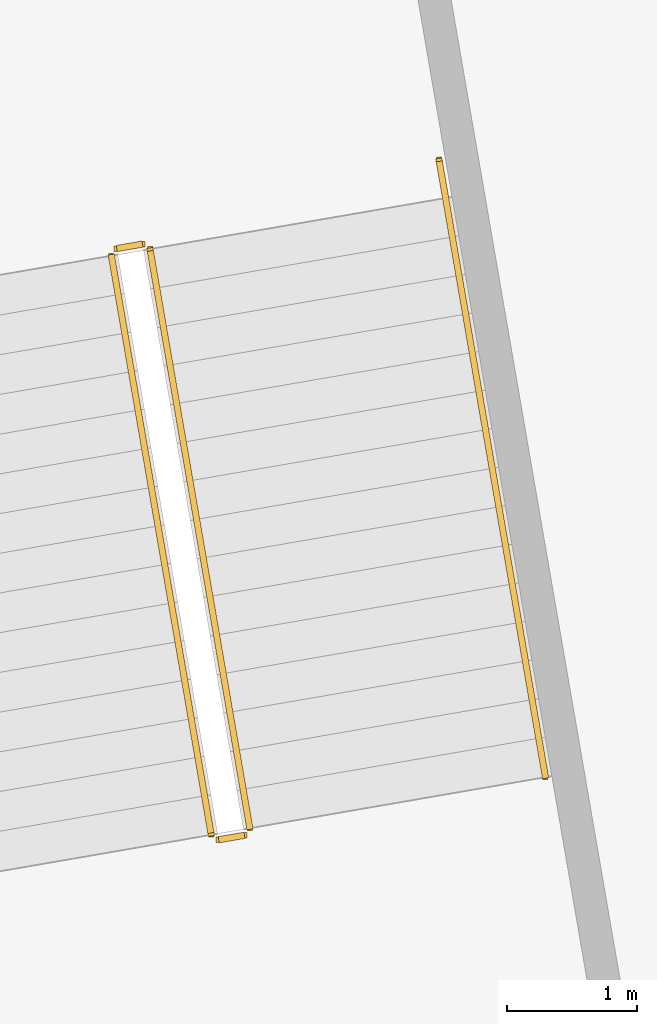
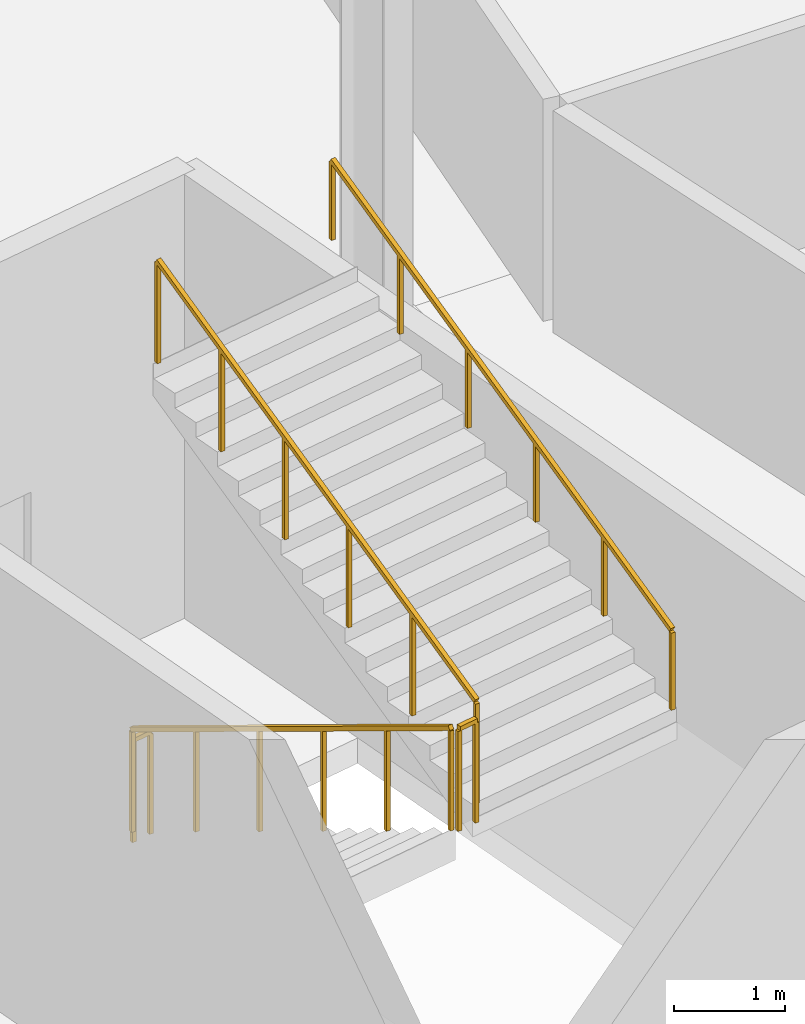
# One storey, part 146 of 168: 5 railings.
"""IFC4 building model written with IfcOpenShell, lengths in metres."""

import ifcopenshell
import ifcopenshell.guid

model = None  # the IFC model being written
_history = None  # IfcOwnerHistory: only IFC2X3 demands one
_inside = {}  # id of a spatial element -> (the spatial element, [elements in it])
_under = {}  # id of a project, library or spatial element -> (it, [spatial elements below it])
_declared = {}  # id of a project -> (the project, [libraries it declares])
_typed = {}  # id of a type object -> (the type object, [elements of that type])
_made_of = {}  # id of a material, layer set ... -> (it, [elements and type objects made of it])


def new_model(schema):
    """Start an empty IFC model of exactly this schema.

    Asked for "IFC4X3", IfcOpenShell would pick the latest addendum, in which some entities
    have other attributes; the version numbers below select the first issue.
    IFC2X3 requires an IfcOwnerHistory on every rooted entity: one is made here for all.
    """
    global model, _history
    if schema == "IFC4X3":
        model = ifcopenshell.file(schema_version=(4, 3, 0, 0))
    else:
        model = ifcopenshell.file(schema=schema)
    _inside.clear()
    _under.clear()
    _declared.clear()
    _typed.clear()
    _made_of.clear()
    _history = None
    if model.schema == "IFC2X3":
        org = make("IfcOrganization", Name="unknown")
        user = make(
            "IfcPersonAndOrganization",
            ThePerson=make("IfcPerson", FamilyName="unknown"),
            TheOrganization=org,
        )
        app = make(
            "IfcApplication",
            ApplicationDeveloper=org,
            Version="unknown",
            ApplicationFullName="unknown",
            ApplicationIdentifier="unknown",
        )
        _history = make(
            "IfcOwnerHistory",
            OwningUser=user,
            OwningApplication=app,
            ChangeAction="ADDED",
            CreationDate=0,
        )
    return model


def make(cls, **values):
    """One entity of the class cls with the attributes given. An attribute that is None is left unset."""
    return model.create_entity(
        cls, **{name: value for name, value in values.items() if value is not None}
    )


def rooted(cls, **values):
    """An entity with a GlobalId (a new one), such as an element, a storey or a relation."""
    return make(cls, GlobalId=ifcopenshell.guid.new(), OwnerHistory=_history, **values)


def si_unit(unit_type, name, prefix=None):
    """IfcSIUnit, for example si_unit("LENGTHUNIT", "METRE", prefix="MILLI")."""
    return make("IfcSIUnit", UnitType=unit_type, Prefix=prefix, Name=name)


def assignment(units):
    """IfcUnitAssignment: the units of a project."""
    return None if units is None else make("IfcUnitAssignment", Units=units)


def point(xyz):
    """IfcCartesianPoint."""
    return None if xyz is None else make("IfcCartesianPoint", Coordinates=xyz)


def direction(xyz):
    """IfcDirection."""
    return None if xyz is None else make("IfcDirection", DirectionRatios=xyz)


def frame(location, z_axis=None, x_axis=None):
    """IfcAxis2Placement3D, a coordinate frame: its origin and axes. An axis left out is left unset."""
    return make(
        "IfcAxis2Placement3D",
        Location=point(location),
        Axis=direction(z_axis),
        RefDirection=direction(x_axis),
    )


def frame_2d(location, x_axis=None):
    """IfcAxis2Placement2D, a coordinate frame in the plane: its origin and x axis."""
    return make(
        "IfcAxis2Placement2D", Location=point(location), RefDirection=direction(x_axis)
    )


def origin():
    """The frame at (0, 0, 0) with its axes left unset."""
    return frame((0.0, 0.0, 0.0))


def origin_2d():
    """The frame at (0, 0) in the plane with its x axis left unset."""
    return frame_2d((0.0, 0.0))


def place(relative_to, where):
    """IfcLocalPlacement: puts the frame where relative to a parent placement (None: the world)."""
    return make(
        "IfcLocalPlacement", PlacementRelTo=relative_to, RelativePlacement=where
    )


def context(
    kind, dimensions, precision=None, world=None, true_north=None, identifier=None
):
    """IfcGeometricRepresentationContext, for example the 3D "Model" context."""
    return make(
        "IfcGeometricRepresentationContext",
        ContextIdentifier=identifier,
        ContextType=kind,
        CoordinateSpaceDimension=dimensions,
        Precision=precision,
        WorldCoordinateSystem=world,
        TrueNorth=true_north,
    )


def subcontext(parent, identifier, kind, view, scale=None):
    """IfcGeometricRepresentationSubContext, for example "Body" below "Model"."""
    return make(
        "IfcGeometricRepresentationSubContext",
        ContextIdentifier=identifier,
        ContextType=kind,
        ParentContext=parent,
        TargetScale=scale,
        TargetView=view,
    )


def project(units=None, contexts=None):
    """IfcProject with its units and contexts."""
    return rooted(
        "IfcProject",
        Name="project",
        RepresentationContexts=contexts,
        UnitsInContext=assignment(units),
    )


def spatial(cls, under=None, at=None, **own):
    """A site, building, storey or space (cls), placed at a placement, below another one or the project."""
    s = rooted(cls, ObjectPlacement=at, **own)
    if under is not None:
        _under.setdefault(under.id(), (under, []))[1].append(s)
    return s


def profile(cls, at=None, kind="AREA", **sizes):
    """A parametric profile (cls). Its sizes go by their IFC names, for example OverallWidth=200.0."""
    return make(cls, ProfileType=kind, Position=at, **sizes)


def rectangle(**sizes):
    """IfcRectangleProfileDef."""
    return profile("IfcRectangleProfileDef", **sizes)


def extrude(swept, where, along, depth):
    """IfcExtrudedAreaSolid: the profile swept, set in the frame where, extruded along a direction by depth."""
    return make(
        "IfcExtrudedAreaSolid",
        SweptArea=swept,
        Position=where,
        ExtrudedDirection=direction(along),
        Depth=depth,
    )


def shape(context_of_items, identifier, shape_type, items):
    """IfcShapeRepresentation: the items that make up one representation, for example the "Body"."""
    return make(
        "IfcShapeRepresentation",
        ContextOfItems=context_of_items,
        RepresentationIdentifier=identifier,
        RepresentationType=shape_type,
        Items=items,
    )


def material(Name=None, Category=None):
    """IfcMaterial."""
    return make("IfcMaterial", Name=Name, Category=Category)


def made_of(thing, what):
    """Note that an element or type object is made of a material, layer set ...; save() writes the relation."""
    if what is not None:
        _made_of.setdefault(what.id(), (what, []))[1].append(thing)
    return thing


def type_object(cls, material=None, **own):
    """A type object (cls), such as IfcWallType, which elements share."""
    return made_of(rooted(cls, **own), material)


def element(
    cls,
    number,
    at=None,
    inside=None,
    cuts=None,
    type_object=None,
    material=None,
    context=None,
    identifier="Body",
    shape_type=None,
    held_by="IfcProductDefinitionShape",
    body=None,
    shapes=None,
    **own,
):
    """One element of the class cls, such as IfcWall. Its Tag is "e" and its number.

    at: its placement. inside: the storey or other place that contains it. cuts: it is an
    opening in that element (IfcRelVoidsElement). A single representation is given by context,
    identifier, shape_type and body (its items); several are given by shapes. held_by: the class
    of the entity that holds the representations. save() writes the other relations.
    """
    e = rooted(cls, Tag="e%d" % number, ObjectPlacement=at, **own)
    if body is not None:
        shapes = [shape(context, identifier, shape_type, body)]
    if shapes is not None:
        e.Representation = make(held_by, Representations=shapes)
    if inside is not None:
        _inside.setdefault(inside.id(), (inside, []))[1].append(e)
    if cuts is not None:
        rooted(
            "IfcRelVoidsElement", RelatingBuildingElement=cuts, RelatedOpeningElement=e
        )
    if type_object is not None:
        _typed.setdefault(type_object.id(), (type_object, []))[1].append(e)
    return made_of(e, material)


def aggregate(whole, parts):
    """IfcRelAggregates: a whole, such as a stair, and the parts it consists of."""
    return rooted("IfcRelAggregates", RelatingObject=whole, RelatedObjects=parts)


def save(model, path):
    """Write the relations noted so far, then the file.

    IfcRelAggregates (storeys below a building ...), IfcRelContainedInSpatialStructure (elements
    in a storey), IfcRelDefinesByType, IfcRelAssociatesMaterial and IfcRelDeclares: one each for
    every whole, place, type object, material and project.
    """
    for whole, parts in _under.values():
        aggregate(whole, parts)
    for where, things in _inside.values():
        rooted(
            "IfcRelContainedInSpatialStructure",
            RelatedElements=things,
            RelatingStructure=where,
        )
    for kind, things in _typed.values():
        rooted("IfcRelDefinesByType", RelatedObjects=things, RelatingType=kind)
    for what, things in _made_of.values():
        rooted("IfcRelAssociatesMaterial", RelatedObjects=things, RelatingMaterial=what)
    for by, libraries in _declared.values():
        rooted("IfcRelDeclares", RelatingContext=by, RelatedDefinitions=libraries)
    model.write(path)


model = new_model("IFC4")

# Units and contexts
model_context = context("Model", 3, precision=1e-05, world=origin(), true_north=direction((0.0, 1.0)))
body_context = subcontext(model_context, "Body", "Model", "MODEL_VIEW")
ifc_project = project(units=[si_unit("LENGTHUNIT", "METRE"), si_unit("AREAUNIT", "SQUARE_METRE"), si_unit("VOLUMEUNIT", "CUBIC_METRE"), si_unit("PLANEANGLEUNIT", "RADIAN"), si_unit("MASSUNIT", "GRAM", prefix="KILO")], contexts=[model_context])

# Site, building, storey
site_placement = place(None, origin())
site = spatial("IfcSite", under=ifc_project, at=site_placement, CompositionType="ELEMENT")
building_placement = place(site_placement, origin())
building = spatial("IfcBuilding", under=site, at=building_placement, Name="Zlatoyarsky Gate Stadium", CompositionType="ELEMENT")
storey_placement = place(building_placement, frame((0.0, 0.0, 15.60009765625)))
storey = spatial("IfcBuildingStorey", under=building, at=storey_placement, Name="L03", CompositionType="ELEMENT", Elevation=15.60009765625)

# Railings
ifc_material_1 = material(Name="Powder-coated steel stair guardrail", Category="steel")
railing_type_1 = type_object("IfcRailingType", Name="PAINTED STEEL STAIR WELL GUARDRAIL 1150", PredefinedType="GUARDRAIL", material=ifc_material_1)
railing_1_placement = place(storey_placement, frame((23.9404296875, 73.914306640625, 0.162353515625)))
element("IfcRailing", 1, at=railing_1_placement, inside=storey, type_object=railing_type_1, Name="ST-07 L03 stair guard 1", PredefinedType="GUARDRAIL", context=body_context, shape_type="SweptSolid", body=[
    extrude(rectangle(XDim=0.048095703125, YDim=0.048095703125, at=origin_2d()), frame((0.0, 0.0, 1.1259765625), z_axis=(0.149410651291, -0.866505450206, 0.476282229402), x_axis=(0.985457609709, 0.16992145087, 0.0)), (0.0, 0.0, 1.0), 5.11767578125),
    extrude(rectangle(XDim=0.0419921875, YDim=0.0419921875, at=origin_2d()), origin(), (0.0, 0.0, 1.0), 1.101806640625),
    extrude(rectangle(XDim=0.0419921875, YDim=0.0419921875, at=origin_2d()), frame((0.15283203125, -0.886962890625, 0.487548828125)), (0.0, 0.0, 1.0), 1.101806640625),
    extrude(rectangle(XDim=0.0419921875, YDim=0.0419921875, at=origin_2d()), frame((0.305908203125, -1.77392578125, 0.97509765625)), (0.0, 0.0, 1.0), 1.101806640625),
    extrude(rectangle(XDim=0.0419921875, YDim=0.0419921875, at=origin_2d()), frame((0.458740234375, -2.66064453125, 1.46240234375)), (0.0, 0.0, 1.0), 1.101806640625),
    extrude(rectangle(XDim=0.0419921875, YDim=0.0419921875, at=origin_2d()), frame((0.61181640625, -3.547607421875, 1.949951171875)), (0.0, 0.0, 1.0), 1.101806640625),
    extrude(rectangle(XDim=0.0419921875, YDim=0.0419921875, at=origin_2d()), frame((0.7646484375, -4.4345703125, 2.4375)), (0.0, 0.0, 1.0), 1.101806640625),
])
railing_2_placement = place(storey_placement, frame((24.762939453125, 69.43896484375, 2.599853515625)))
element("IfcRailing", 2, at=railing_2_placement, inside=storey, type_object=railing_type_1, Name="ST-07 L03 stair guard 2", PredefinedType="GUARDRAIL", context=body_context, shape_type="SweptSolid", body=[
    extrude(rectangle(XDim=0.048095703125, YDim=0.048095703125, at=origin_2d()), frame((0.0, 0.0, 1.1259765625), z_axis=(0.985488304827, 0.16974333875, 0.0), x_axis=(-0.16974333875, 0.985488304827, 0.0)), (0.0, 0.0, 1.0), 0.199951171875),
    extrude(rectangle(XDim=0.0419921875, YDim=0.0419921875, at=origin_2d()), origin(), (0.0, 0.0, 1.0), 1.101806640625),
    extrude(rectangle(XDim=0.0419921875, YDim=0.0419921875, at=origin_2d()), frame((0.197021484375, 0.033935546875, 0.0)), (0.0, 0.0, 1.0), 1.101806640625),
])
railing_3_placement = place(storey_placement, frame((25.000732421875, 69.530517578125, 2.762451171875)))
element("IfcRailing", 3, at=railing_3_placement, inside=storey, type_object=railing_type_1, Name="ST-07 L03 stair guard 3", PredefinedType="GUARDRAIL", context=body_context, shape_type="SweptSolid", body=[
    extrude(rectangle(XDim=0.048095703125, YDim=0.048095703125, at=origin_2d()), frame((0.0, 0.0, 1.1259765625), z_axis=(-0.149410651291, 0.866505450206, 0.476282229402), x_axis=(-0.985457609709, -0.16992145087, 0.0)), (0.0, 0.0, 1.0), 5.11767578125),
    extrude(rectangle(XDim=0.0419921875, YDim=0.0419921875, at=origin_2d()), origin(), (0.0, 0.0, 1.0), 1.101806640625),
    extrude(rectangle(XDim=0.0419921875, YDim=0.0419921875, at=origin_2d()), frame((-0.15283203125, 0.886962890625, 0.487548828125)), (0.0, 0.0, 1.0), 1.101806640625),
    extrude(rectangle(XDim=0.0419921875, YDim=0.0419921875, at=origin_2d()), frame((-0.305908203125, 1.77392578125, 0.97509765625)), (0.0, 0.0, 1.0), 1.101806640625),
    extrude(rectangle(XDim=0.0419921875, YDim=0.0419921875, at=origin_2d()), frame((-0.458740234375, 2.66064453125, 1.46240234375)), (0.0, 0.0, 1.0), 1.101806640625),
    extrude(rectangle(XDim=0.0419921875, YDim=0.0419921875, at=origin_2d()), frame((-0.61181640625, 3.547607421875, 1.949951171875)), (0.0, 0.0, 1.0), 1.101806640625),
    extrude(rectangle(XDim=0.0419921875, YDim=0.0419921875, at=origin_2d()), frame((-0.7646484375, 4.4345703125, 2.4375)), (0.0, 0.0, 1.0), 1.101806640625),
])
railing_4_placement = place(storey_placement, frame((23.981201171875, 73.971923828125, 0.0)))
element("IfcRailing", 4, at=railing_4_placement, inside=storey, type_object=railing_type_1, Name="ST-07 L03 stair guard 4", PredefinedType="GUARDRAIL", context=body_context, shape_type="SweptSolid", body=[
    extrude(rectangle(XDim=0.048095703125, YDim=0.048095703125, at=origin_2d()), frame((0.0, 0.0, 1.1259765625), z_axis=(0.985488304827, 0.16974333875, 0.0), x_axis=(-0.16974333875, 0.985488304827, 0.0)), (0.0, 0.0, 1.0), 0.199951171875),
    extrude(rectangle(XDim=0.0419921875, YDim=0.0419921875, at=origin_2d()), origin(), (0.0, 0.0, 1.0), 1.101806640625),
    extrude(rectangle(XDim=0.0419921875, YDim=0.0419921875, at=origin_2d()), frame((0.197021484375, 0.033935546875, 0.0)), (0.0, 0.0, 1.0), 1.101806640625),
])
ifc_material_2 = material(Name="Brushed stainless steel 316 handrail", Category="steel")
railing_type_2 = type_object("IfcRailingType", Name="STAINLESS STEEL TUBULAR HANDRAIL 900", PredefinedType="HANDRAIL", material=ifc_material_2)
railing_5_placement = place(storey_placement, frame((27.267333984375, 69.92138671875, 2.766357421875)))
element("IfcRailing", 5, at=railing_5_placement, inside=storey, type_object=railing_type_2, Name="ST-07 L03 stair handrail 2", PredefinedType="HANDRAIL", context=body_context, shape_type="SweptSolid", body=[
    extrude(rectangle(XDim=0.048095703125, YDim=0.048095703125, at=origin_2d()), frame((0.0, 0.0, 0.8759765625), z_axis=(-0.149417737082, 0.866497652186, 0.476294193331), x_axis=(-0.985456004189, -0.169930761806, 0.0)), (0.0, 0.0, 1.0), 5.458984375),
    extrude(rectangle(XDim=0.0419921875, YDim=0.0419921875, at=origin_2d()), origin(), (0.0, 0.0, 1.0), 0.851806640625),
    extrude(rectangle(XDim=0.0419921875, YDim=0.0419921875, at=origin_2d()), frame((-0.1630859375, 0.946044921875, 0.52001953125)), (0.0, 0.0, 1.0), 0.851806640625),
    extrude(rectangle(XDim=0.0419921875, YDim=0.0419921875, at=origin_2d()), frame((-0.326171875, 1.89208984375, 1.0400390625)), (0.0, 0.0, 1.0), 0.851806640625),
    extrude(rectangle(XDim=0.0419921875, YDim=0.0419921875, at=origin_2d()), frame((-0.489501953125, 2.838134765625, 1.56005859375)), (0.0, 0.0, 1.0), 0.851806640625),
    extrude(rectangle(XDim=0.0419921875, YDim=0.0419921875, at=origin_2d()), frame((-0.652587890625, 3.7841796875, 2.080078125)), (0.0, 0.0, 1.0), 0.851806640625),
    extrude(rectangle(XDim=0.0419921875, YDim=0.0419921875, at=origin_2d()), frame((-0.815673828125, 4.730224609375, 2.60009765625)), (0.0, 0.0, 1.0), 0.851806640625),
])

save(model, "model.ifc")
